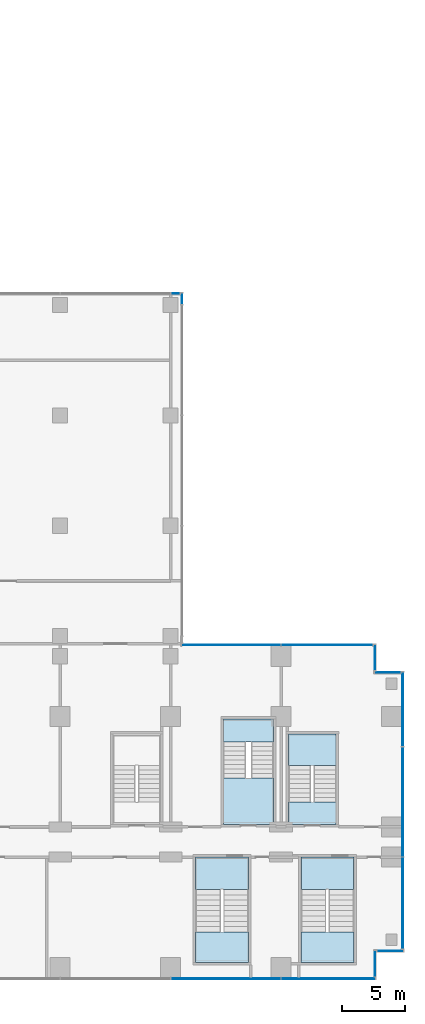
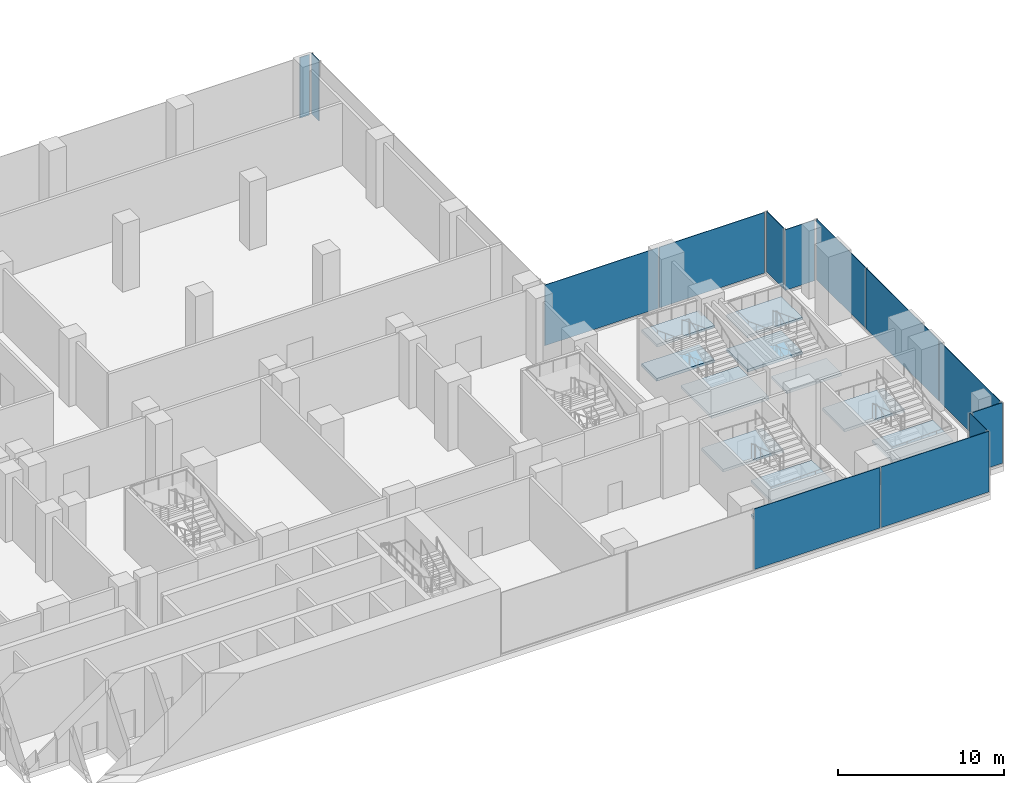
# One storey, part 16 of 30: 13 plates, 12 slabs, 13 elements without a shape of their own.
"""IFC4 building model written with IfcOpenShell, lengths in metres."""

from ifc_helpers import new_model, si_unit, direction, frame, origin, origin_2d, place, context, subcontext, project, spatial, polyline, rectangle, outline, extrude, source, transform, mapped, material, layer, layer_set, type_object, element, aggregate, save


model = new_model("IFC4")

# Units and contexts
model_context = context("Model", 3, precision=1e-05, world=origin(), true_north=direction((0.0, 1.0)))
body_context = subcontext(model_context, "Body", "Model", "MODEL_VIEW")
ifc_project = project(units=[si_unit("LENGTHUNIT", "METRE"), si_unit("AREAUNIT", "SQUARE_METRE"), si_unit("VOLUMEUNIT", "CUBIC_METRE"), si_unit("PLANEANGLEUNIT", "RADIAN"), si_unit("MASSUNIT", "GRAM", prefix="KILO")], contexts=[model_context])

# Site, building, storey
site_placement = place(None, origin())
site = spatial("IfcSite", under=ifc_project, at=site_placement, CompositionType="ELEMENT")
building_placement = place(site_placement, origin())
building = spatial("IfcBuilding", under=site, at=building_placement, Name="Kemantara Hotel Tower", CompositionType="ELEMENT")
storey_placement = place(building_placement, frame((0.0, 0.0, 13.0)))
storey = spatial("IfcBuildingStorey", under=building, at=storey_placement, Name="L02", CompositionType="ELEMENT", Elevation=13.0)

# Stair, slabs
ifc_material_1 = material(Name="Concrete fc 40 MPa", Category="concrete")
stair_type_1 = type_object("IfcStairType", Name="Stair 1800 wide 36 risers of 139 x 360 mm", PredefinedType="HALF_TURN_STAIR", material=ifc_material_1)
stair_1_placement = place(storey_placement, origin())
stair_1 = element("IfcStair", 1, at=stair_1_placement, inside=storey, type_object=stair_type_1, Name="L02 Exit stair ST5", PredefinedType="HALF_TURN_STAIR")
ifc_layer_1 = layer(ifc_material_1, 0.199951171875)
ifc_layer_set_1 = layer_set([ifc_layer_1], Name="Concrete fc 40 MPa")
slab_type = type_object("IfcSlabType", Name="Stair landing 200 mm", PredefinedType="LANDING", material=ifc_layer_set_1)
slab_1_placement = place(storey_placement, frame((0.0, 0.0, 1.050048828125)))
slab_1 = element("IfcSlab", 2, at=slab_1_placement, type_object=slab_type, Name="ST5 landing 1", PredefinedType="LANDING", context=body_context, shape_type="SweptSolid", body=[
    extrude(outline(polyline([(75.800048828125, 17.080078125), (75.800048828125, 19.60009765625), (72.0, 19.60009765625), (72.0, 17.080078125), (75.800048828125, 17.080078125)])), origin(), (0.0, 0.0, 1.0), 0.199951171875),
])
slab_2_placement = place(storey_placement, frame((0.0, 0.0, 2.300048828125)))
slab_2 = element("IfcSlab", 3, at=slab_2_placement, type_object=slab_type, Name="ST5 landing 2", PredefinedType="LANDING", context=body_context, shape_type="SweptSolid", body=[
    extrude(outline(polyline([(75.800048828125, 12.39990234375), (75.800048828125, 14.199951171875), (72.0, 14.199951171875), (72.0, 12.39990234375), (75.800048828125, 12.39990234375)])), origin(), (0.0, 0.0, 1.0), 0.199951171875),
])
slab_3_placement = place(storey_placement, frame((0.0, 0.0, 3.550048828125)))
slab_3 = element("IfcSlab", 4, at=slab_3_placement, type_object=slab_type, Name="ST5 landing 3", PredefinedType="LANDING", context=body_context, shape_type="SweptSolid", body=[
    extrude(outline(polyline([(75.800048828125, 17.080078125), (75.800048828125, 19.60009765625), (72.0, 19.60009765625), (72.0, 17.080078125), (75.800048828125, 17.080078125)])), origin(), (0.0, 0.0, 1.0), 0.199951171875),
])
aggregate(stair_1, [slab_1, slab_2, slab_3])

stair_2_placement = place(storey_placement, origin())
stair_2 = element("IfcStair", 5, at=stair_2_placement, inside=storey, type_object=stair_type_1, Name="L02 Stair PS1", PredefinedType="HALF_TURN_STAIR")
slab_4_placement = place(storey_placement, frame((0.0, 0.0, 1.050048828125)))
slab_4 = element("IfcSlab", 6, at=slab_4_placement, type_object=slab_type, Name="PS1 landing 1", PredefinedType="LANDING", context=body_context, shape_type="SweptSolid", body=[
    extrude(outline(polyline([(70.800048828125, 18.97998046875), (70.800048828125, 20.800048828125), (66.800048828125, 20.800048828125), (66.800048828125, 18.97998046875), (70.800048828125, 18.97998046875)])), origin(), (0.0, 0.0, 1.0), 0.199951171875),
])
slab_5_placement = place(storey_placement, frame((0.0, 0.0, 2.300048828125)))
slab_5 = element("IfcSlab", 7, at=slab_5_placement, type_object=slab_type, Name="PS1 landing 2", PredefinedType="LANDING", context=body_context, shape_type="SweptSolid", body=[
    extrude(outline(polyline([(70.800048828125, 12.39990234375), (70.800048828125, 16.10009765625), (66.800048828125, 16.10009765625), (66.800048828125, 12.39990234375), (70.800048828125, 12.39990234375)])), origin(), (0.0, 0.0, 1.0), 0.199951171875),
])
slab_6_placement = place(storey_placement, frame((0.0, 0.0, 3.550048828125)))
slab_6 = element("IfcSlab", 8, at=slab_6_placement, type_object=slab_type, Name="PS1 landing 3", PredefinedType="LANDING", context=body_context, shape_type="SweptSolid", body=[
    extrude(outline(polyline([(70.800048828125, 18.97998046875), (70.800048828125, 20.800048828125), (66.800048828125, 20.800048828125), (66.800048828125, 18.97998046875), (70.800048828125, 18.97998046875)])), origin(), (0.0, 0.0, 1.0), 0.199951171875),
])
aggregate(stair_2, [slab_4, slab_5, slab_6])

stair_type_2 = type_object("IfcStairType", Name="Stair 2000 wide 36 risers of 139 x 420 mm", PredefinedType="HALF_TURN_STAIR", material=ifc_material_1)
stair_3_placement = place(storey_placement, origin())
stair_3 = element("IfcStair", 9, at=stair_3_placement, inside=storey, type_object=stair_type_2, Name="L02 Stair PS4", PredefinedType="HALF_TURN_STAIR")
slab_7_placement = place(storey_placement, frame((0.0, 0.0, 1.050048828125)))
slab_7 = element("IfcSlab", 10, at=slab_7_placement, type_object=slab_type, Name="PS4 landing 1", PredefinedType="LANDING", context=body_context, shape_type="SweptSolid", body=[
    extrude(outline(polyline([(64.60009765625, 3.840087890625), (64.60009765625, 1.39990234375), (68.800048828125, 1.39990234375), (68.800048828125, 3.840087890625), (64.60009765625, 3.840087890625)])), origin(), (0.0, 0.0, 1.0), 0.199951171875),
])
slab_8_placement = place(storey_placement, frame((0.0, 0.0, 2.300048828125)))
slab_8 = element("IfcSlab", 11, at=slab_8_placement, type_object=slab_type, Name="PS4 landing 2", PredefinedType="LANDING", context=body_context, shape_type="SweptSolid", body=[
    extrude(outline(polyline([(64.60009765625, 9.800048828125), (64.60009765625, 7.199951171875), (68.800048828125, 7.199951171875), (68.800048828125, 9.800048828125), (64.60009765625, 9.800048828125)])), origin(), (0.0, 0.0, 1.0), 0.199951171875),
])
slab_9_placement = place(storey_placement, frame((0.0, 0.0, 3.550048828125)))
slab_9 = element("IfcSlab", 12, at=slab_9_placement, type_object=slab_type, Name="PS4 landing 3", PredefinedType="LANDING", context=body_context, shape_type="SweptSolid", body=[
    extrude(outline(polyline([(64.60009765625, 3.840087890625), (64.60009765625, 1.39990234375), (68.800048828125, 1.39990234375), (68.800048828125, 3.840087890625), (64.60009765625, 3.840087890625)])), origin(), (0.0, 0.0, 1.0), 0.199951171875),
])
aggregate(stair_3, [slab_7, slab_8, slab_9])

stair_4_placement = place(storey_placement, origin())
stair_4 = element("IfcStair", 13, at=stair_4_placement, inside=storey, type_object=stair_type_2, Name="L02 Stair PS5", PredefinedType="HALF_TURN_STAIR")
slab_10_placement = place(storey_placement, frame((0.0, 0.0, 1.050048828125)))
slab_10 = element("IfcSlab", 14, at=slab_10_placement, type_object=slab_type, Name="PS5 landing 1", PredefinedType="LANDING", context=body_context, shape_type="SweptSolid", body=[
    extrude(outline(polyline([(73.0, 3.840087890625), (73.0, 1.39990234375), (77.199951171875, 1.39990234375), (77.199951171875, 3.840087890625), (73.0, 3.840087890625)])), origin(), (0.0, 0.0, 1.0), 0.199951171875),
])
slab_11_placement = place(storey_placement, frame((0.0, 0.0, 2.300048828125)))
slab_11 = element("IfcSlab", 15, at=slab_11_placement, type_object=slab_type, Name="PS5 landing 2", PredefinedType="LANDING", context=body_context, shape_type="SweptSolid", body=[
    extrude(outline(polyline([(73.0, 9.800048828125), (73.0, 7.199951171875), (77.199951171875, 7.199951171875), (77.199951171875, 9.800048828125), (73.0, 9.800048828125)])), origin(), (0.0, 0.0, 1.0), 0.199951171875),
])
slab_12_placement = place(storey_placement, frame((0.0, 0.0, 3.550048828125)))
slab_12 = element("IfcSlab", 16, at=slab_12_placement, type_object=slab_type, Name="PS5 landing 3", PredefinedType="LANDING", context=body_context, shape_type="SweptSolid", body=[
    extrude(outline(polyline([(73.0, 3.840087890625), (73.0, 1.39990234375), (77.199951171875, 1.39990234375), (77.199951171875, 3.840087890625), (73.0, 3.840087890625)])), origin(), (0.0, 0.0, 1.0), 0.199951171875),
])
aggregate(stair_4, [slab_10, slab_11, slab_12])

# Curtain wall, plate
ifc_material_2 = material(Name="Laminated tinted insulated glass 44 mm", Category="glass")
curtain_wall_type = type_object("IfcCurtainWallType", Name="PODIUM GLASS CURTAIN WALL", PredefinedType="USERDEFINED", material=ifc_material_2)
curtain_wall_1_placement = place(storey_placement, origin())
curtain_wall_1 = element("IfcCurtainWall", 17, at=curtain_wall_1_placement, inside=storey, type_object=curtain_wall_type, Name="CW1 L02 POD-R01-2", ObjectType="PODIUM GLASS CURTAIN WALL", PredefinedType="USERDEFINED")
ifc_layer_2 = layer(ifc_material_2, 0.0439453125)
ifc_layer_set_2 = layer_set([ifc_layer_2], Name="Laminated tinted insulated glass 44 mm")
plate_type = type_object("IfcPlateType", Name="PODIUM GLASS CURTAIN WALL PANEL", PredefinedType="CURTAIN_PANEL", material=ifc_layer_set_2)
shared_shape_1 = source(origin(), body_context, "Body", "SweptSolid", [
    extrude(rectangle(XDim=8.72509765625, YDim=0.0439453125, at=origin_2d()), origin(), (0.0, 0.0, 1.0), 4.449951171875),
])
plate_1_placement = place(storey_placement, frame((67.0, 0.10009765625, 0.14990234375), z_axis=(0.0, 0.0, 1.0), x_axis=(1.0, 0.0, 0.0)))
plate_1 = element("IfcPlate", 18, at=plate_1_placement, type_object=plate_type, Name="CW1 glass panel POD-R01-2.3", PredefinedType="CURTAIN_PANEL", context=body_context, shape_type="MappedRepresentation", body=[
    mapped(shared_shape_1, transform((0.0, 0.0, 0.0))),
])

curtain_wall_2_placement = place(storey_placement, origin())
curtain_wall_2 = element("IfcCurtainWall", 19, at=curtain_wall_2_placement, inside=storey, type_object=curtain_wall_type, Name="CW1 L02 POD-R04-1", ObjectType="PODIUM GLASS CURTAIN WALL", PredefinedType="USERDEFINED")
plate_2_placement = place(storey_placement, frame((81.10009765625, 14.199951171875, 0.14990234375), z_axis=(0.0, 0.0, 1.0), x_axis=(0.0, 1.0, 0.0)))
plate_2 = element("IfcPlate", 20, at=plate_2_placement, type_object=plate_type, Name="CW1 glass panel POD-R04-1.2", PredefinedType="CURTAIN_PANEL", context=body_context, shape_type="MappedRepresentation", body=[
    mapped(shared_shape_1, transform((0.0, 0.0, 0.0))),
])

# Plate
shared_shape_2 = source(origin(), body_context, "Body", "SweptSolid", [
    extrude(rectangle(XDim=7.487548828125, YDim=0.0439453125, at=origin_2d()), origin(), (0.0, 0.0, 1.0), 4.449951171875),
])
plate_3_placement = place(storey_placement, frame((75.18115234375, 0.10009765625, 0.14990234375), z_axis=(0.0, 0.0, 1.0), x_axis=(1.0, 0.0, 0.0)))
plate_3 = element("IfcPlate", 21, at=plate_3_placement, type_object=plate_type, Name="CW1 glass panel POD-R01-2.4", PredefinedType="CURTAIN_PANEL", context=body_context, shape_type="MappedRepresentation", body=[
    mapped(shared_shape_2, transform((0.0, 0.0, 0.0))),
])

aggregate(curtain_wall_1, [plate_1, plate_3])

shared_shape_3 = source(origin(), body_context, "Body", "SweptSolid", [
    extrude(rectangle(XDim=7.28759765625, YDim=0.0439453125, at=origin_2d()), origin(), (0.0, 0.0, 1.0), 4.449951171875),
])
plate_4_placement = place(storey_placement, frame((81.10009765625, 6.11865234375, 0.14990234375), z_axis=(0.0, 0.0, 1.0), x_axis=(0.0, 1.0, 0.0)))
plate_4 = element("IfcPlate", 22, at=plate_4_placement, type_object=plate_type, Name="CW1 glass panel POD-R04-1.1", PredefinedType="CURTAIN_PANEL", context=body_context, shape_type="MappedRepresentation", body=[
    mapped(shared_shape_3, transform((0.0, 0.0, 0.0))),
])

# Curtain wall, plate
curtain_wall_3_placement = place(storey_placement, origin())
curtain_wall_3 = element("IfcCurtainWall", 23, at=curtain_wall_3_placement, inside=storey, type_object=curtain_wall_type, Name="CW1 L02 POD-R07-1", ObjectType="PODIUM GLASS CURTAIN WALL", PredefinedType="USERDEFINED")
plate_5_placement = place(storey_placement, frame((75.081298828125, 26.699951171875, 0.14990234375), z_axis=(0.0, 0.0, 1.0), x_axis=(-1.0, 0.0, 0.0)))
plate_5 = element("IfcPlate", 24, at=plate_5_placement, type_object=plate_type, Name="CW1 glass panel POD-R07-1.1", PredefinedType="CURTAIN_PANEL", context=body_context, shape_type="MappedRepresentation", body=[
    mapped(shared_shape_3, transform((0.0, 0.0, 0.0))),
])

# Plate
shared_shape_4 = source(origin(), body_context, "Body", "SweptSolid", [
    extrude(rectangle(XDim=5.887451171875, YDim=0.0439453125, at=origin_2d()), origin(), (0.0, 0.0, 1.0), 4.449951171875),
])
plate_6_placement = place(storey_placement, frame((81.10009765625, 21.581298828125, 0.14990234375), z_axis=(0.0, 0.0, 1.0), x_axis=(0.0, 1.0, 0.0)))
plate_6 = element("IfcPlate", 25, at=plate_6_placement, type_object=plate_type, Name="CW1 glass panel POD-R04-1.3", PredefinedType="CURTAIN_PANEL", context=body_context, shape_type="MappedRepresentation", body=[
    mapped(shared_shape_4, transform((0.0, 0.0, 0.0))),
])

aggregate(curtain_wall_2, [plate_4, plate_2, plate_6])

shared_shape_5 = source(origin(), body_context, "Body", "SweptSolid", [
    extrude(rectangle(XDim=7.887451171875, YDim=0.0439453125, at=origin_2d()), origin(), (0.0, 0.0, 1.0), 4.449951171875),
])
plate_7_placement = place(storey_placement, frame((67.418701171875, 26.699951171875, 0.14990234375), z_axis=(0.0, 0.0, 1.0), x_axis=(-1.0, 0.0, 0.0)))
plate_7 = element("IfcPlate", 26, at=plate_7_placement, type_object=plate_type, Name="CW1 glass panel POD-R07-1.2", PredefinedType="CURTAIN_PANEL", context=body_context, shape_type="MappedRepresentation", body=[
    mapped(shared_shape_5, transform((0.0, 0.0, 0.0))),
])

aggregate(curtain_wall_3, [plate_5, plate_7])

# Curtain wall, plate
curtain_wall_4_placement = place(storey_placement, origin())
curtain_wall_4 = element("IfcCurtainWall", 27, at=curtain_wall_4_placement, inside=storey, type_object=curtain_wall_type, Name="CW1 L02 POD-R08-1", ObjectType="PODIUM GLASS CURTAIN WALL", PredefinedType="USERDEFINED")
shared_shape_6 = source(origin(), body_context, "Body", "SweptSolid", [
    extrude(rectangle(XDim=0.887451171875, YDim=0.0439453125, at=origin_2d()), origin(), (0.0, 0.0, 1.0), 4.449951171875),
])
plate_8_placement = place(storey_placement, frame((63.5, 54.28125, 0.14990234375), z_axis=(0.0, 0.0, 1.0), x_axis=(0.0, 1.0, 0.0)))
plate_8 = element("IfcPlate", 28, at=plate_8_placement, type_object=plate_type, Name="CW1 glass panel POD-R08-1.5", PredefinedType="CURTAIN_PANEL", context=body_context, shape_type="MappedRepresentation", body=[
    mapped(shared_shape_6, transform((0.0, 0.0, 0.0))),
])
aggregate(curtain_wall_4, [plate_8])

curtain_wall_5_placement = place(storey_placement, origin())
curtain_wall_5 = element("IfcCurtainWall", 29, at=curtain_wall_5_placement, inside=storey, type_object=curtain_wall_type, Name="CW1 L02 POD-R09-1", ObjectType="PODIUM GLASS CURTAIN WALL", PredefinedType="USERDEFINED")
shared_shape_7 = source(origin(), body_context, "Body", "SweptSolid", [
    extrude(rectangle(XDim=0.6875, YDim=0.0439453125, at=origin_2d()), origin(), (0.0, 0.0, 1.0), 4.449951171875),
])
plate_9_placement = place(storey_placement, frame((62.981201171875, 54.699951171875, 0.14990234375), z_axis=(0.0, 0.0, 1.0), x_axis=(-1.0, 0.0, 0.0)))
plate_9 = element("IfcPlate", 30, at=plate_9_placement, type_object=plate_type, Name="CW1 glass panel POD-R09-1.1", PredefinedType="CURTAIN_PANEL", context=body_context, shape_type="MappedRepresentation", body=[
    mapped(shared_shape_7, transform((0.0, 0.0, 0.0))),
])
aggregate(curtain_wall_5, [plate_9])

curtain_wall_6_placement = place(storey_placement, origin())
curtain_wall_6 = element("IfcCurtainWall", 31, at=curtain_wall_6_placement, inside=storey, type_object=curtain_wall_type, Name="CW1 L02 POD-R02-1", ObjectType="PODIUM GLASS CURTAIN WALL", PredefinedType="USERDEFINED")
shared_shape_8 = source(origin(), body_context, "Body", "SweptSolid", [
    extrude(rectangle(XDim=2.050048828125, YDim=0.0439453125, at=origin_2d()), origin(), (0.0, 0.0, 1.0), 4.449951171875),
])
plate_10_placement = place(storey_placement, frame((78.89990234375, 1.300048828125, 0.14990234375), z_axis=(0.0, 0.0, 1.0), x_axis=(0.0, 1.0, 0.0)))
plate_10 = element("IfcPlate", 32, at=plate_10_placement, type_object=plate_type, Name="CW1 glass panel POD-R02-1.1", PredefinedType="CURTAIN_PANEL", context=body_context, shape_type="MappedRepresentation", body=[
    mapped(shared_shape_8, transform((0.0, 0.0, 0.0))),
])
aggregate(curtain_wall_6, [plate_10])

curtain_wall_7_placement = place(storey_placement, origin())
curtain_wall_7 = element("IfcCurtainWall", 33, at=curtain_wall_7_placement, inside=storey, type_object=curtain_wall_type, Name="CW1 L02 POD-R03-1", ObjectType="PODIUM GLASS CURTAIN WALL", PredefinedType="USERDEFINED")
plate_11_placement = place(storey_placement, frame((80.10009765625, 2.300048828125, 0.14990234375), z_axis=(0.0, 0.0, 1.0), x_axis=(1.0, 0.0, 0.0)))
plate_11 = element("IfcPlate", 34, at=plate_11_placement, type_object=plate_type, Name="CW1 glass panel POD-R03-1.1", PredefinedType="CURTAIN_PANEL", context=body_context, shape_type="MappedRepresentation", body=[
    mapped(shared_shape_8, transform((0.0, 0.0, 0.0))),
])
aggregate(curtain_wall_7, [plate_11])

curtain_wall_8_placement = place(storey_placement, origin())
curtain_wall_8 = element("IfcCurtainWall", 35, at=curtain_wall_8_placement, inside=storey, type_object=curtain_wall_type, Name="CW1 L02 POD-R05-1", ObjectType="PODIUM GLASS CURTAIN WALL", PredefinedType="USERDEFINED")
plate_12_placement = place(storey_placement, frame((79.89990234375, 24.5, 0.14990234375), z_axis=(0.0, 0.0, 1.0), x_axis=(-1.0, 0.0, 0.0)))
plate_12 = element("IfcPlate", 36, at=plate_12_placement, type_object=plate_type, Name="CW1 glass panel POD-R05-1.1", PredefinedType="CURTAIN_PANEL", context=body_context, shape_type="MappedRepresentation", body=[
    mapped(shared_shape_8, transform((0.0, 0.0, 0.0))),
])
aggregate(curtain_wall_8, [plate_12])

curtain_wall_9_placement = place(storey_placement, origin())
curtain_wall_9 = element("IfcCurtainWall", 37, at=curtain_wall_9_placement, inside=storey, type_object=curtain_wall_type, Name="CW1 L02 POD-R06-1", ObjectType="PODIUM GLASS CURTAIN WALL", PredefinedType="USERDEFINED")
plate_13_placement = place(storey_placement, frame((78.89990234375, 25.699951171875, 0.14990234375), z_axis=(0.0, 0.0, 1.0), x_axis=(0.0, 1.0, 0.0)))
plate_13 = element("IfcPlate", 38, at=plate_13_placement, type_object=plate_type, Name="CW1 glass panel POD-R06-1.1", PredefinedType="CURTAIN_PANEL", context=body_context, shape_type="MappedRepresentation", body=[
    mapped(shared_shape_8, transform((0.0, 0.0, 0.0))),
])
aggregate(curtain_wall_9, [plate_13])

save(model, "model.ifc")
